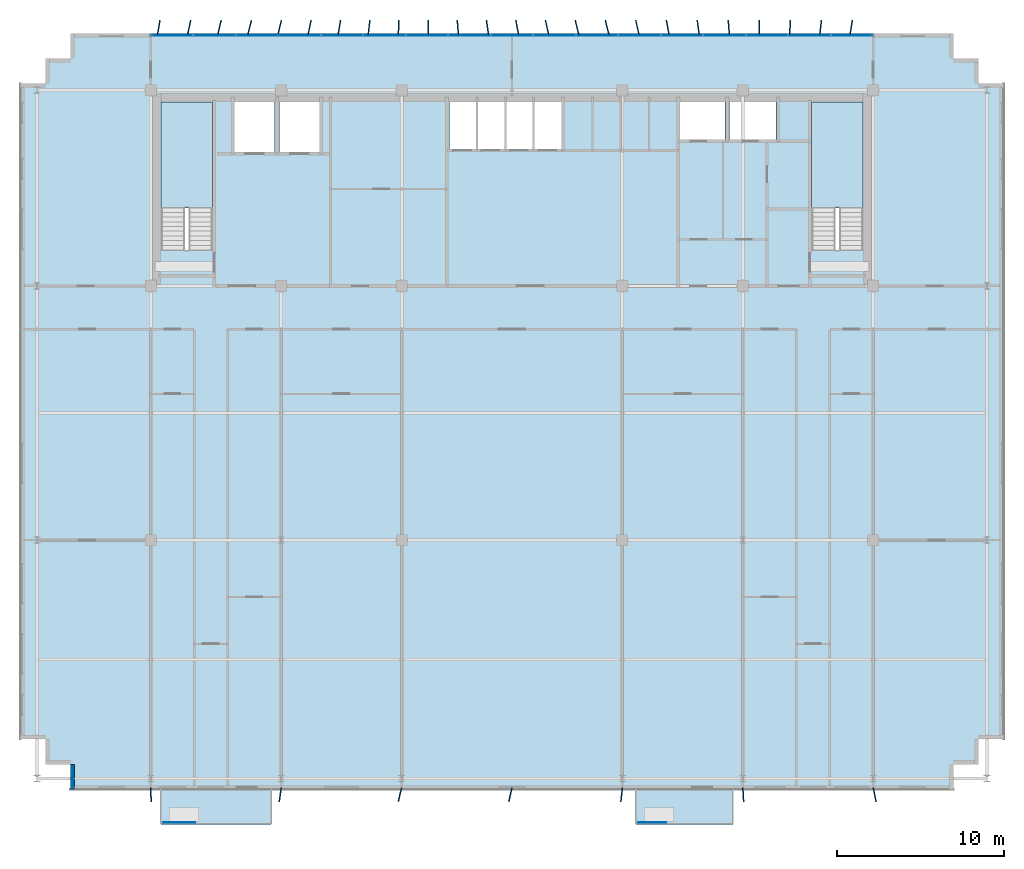
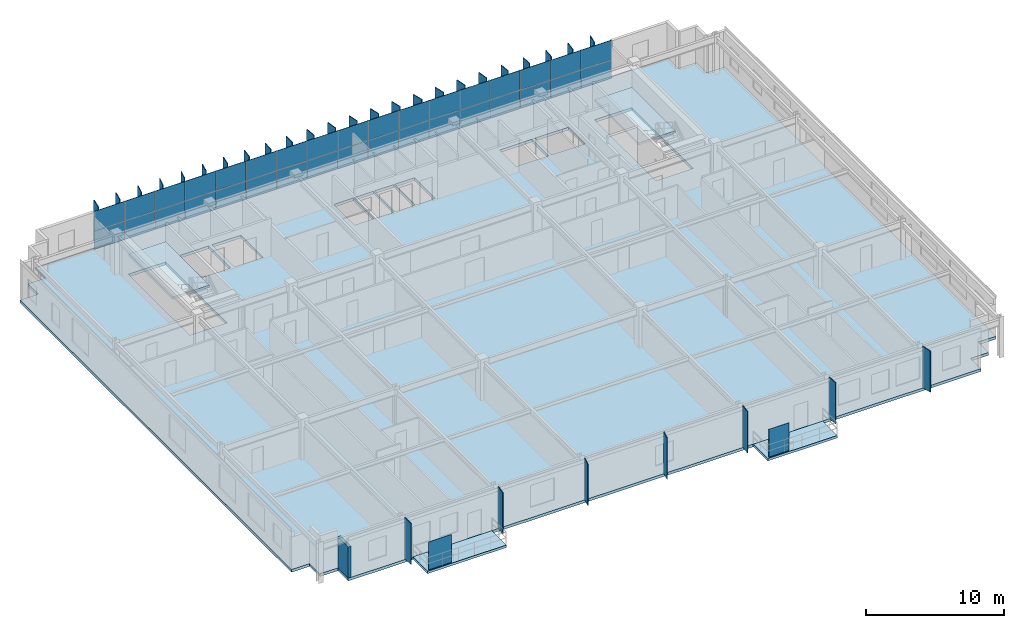
# One storey, part 13 of 20: 67 plates, 5 slabs, 1 wall, 3 elements without a shape of their own.
"""IFC4 building model written with IfcOpenShell, lengths in metres."""

from ifc_helpers import new_model, si_unit, direction, frame, frame_2d, origin, origin_2d, place, context, subcontext, project, spatial, polyline, rectangle, outline, extrude, source, transform, mapped, material, layer, layer_set, type_object, element, aggregate, save


model = new_model("IFC4")

# Units and contexts
model_context = context("Model", 3, precision=1e-05, world=origin(), true_north=direction((0.0, 1.0)))
body_context = subcontext(model_context, "Body", "Model", "MODEL_VIEW")
ifc_project = project(units=[si_unit("LENGTHUNIT", "METRE"), si_unit("AREAUNIT", "SQUARE_METRE"), si_unit("VOLUMEUNIT", "CUBIC_METRE"), si_unit("PLANEANGLEUNIT", "RADIAN"), si_unit("MASSUNIT", "GRAM", prefix="KILO")], contexts=[model_context])

# Site, building, storey
site_placement = place(None, origin())
site = spatial("IfcSite", under=ifc_project, at=site_placement, CompositionType="ELEMENT")
building_placement = place(site_placement, origin())
building = spatial("IfcBuilding", under=site, at=building_placement, Name="Trelvane Seafront Commons", CompositionType="ELEMENT")
storey_placement = place(building_placement, frame((0.0, 0.0, 142.89990234375)))
storey = spatial("IfcBuildingStorey", under=building, at=storey_placement, Name="L37", CompositionType="ELEMENT", Elevation=142.89990234375)

# Slabs
ifc_material_1 = material(Name="Concrete C40/50", Category="concrete")
ifc_layer_1 = layer(ifc_material_1, 0.219970703125, Name="ARCH-BALC-220")
ifc_layer_set_1 = layer_set([ifc_layer_1], Name="Concrete C40/50")
slab_type_1 = type_object("IfcSlabType", Name="ARCH-BALC-220", PredefinedType="FLOOR", material=ifc_layer_set_1)
slab_1_placement = place(storey_placement, frame((0.0, 0.0, -0.219970703125)))
element("IfcSlab", 1, at=slab_1_placement, inside=storey, type_object=slab_type_1, Name="L37 Cantilevered Tree Balcony Loggia 1", PredefinedType="FLOOR", context=body_context, shape_type="SweptSolid", body=[
    extrude(outline(polyline([(16.199951171875, 1.199951171875), (22.800048828125, 1.199951171875), (22.800048828125, 3.300048828125), (16.199951171875, 3.300048828125), (16.199951171875, 1.199951171875)])), origin(), (0.0, 0.0, 1.0), 0.219970703125),
])
slab_2_placement = place(storey_placement, frame((0.0, 0.0, -0.219970703125)))
element("IfcSlab", 2, at=slab_2_placement, inside=storey, type_object=slab_type_1, Name="L37 Cantilevered Tree Balcony Loggia 2", PredefinedType="FLOOR", context=body_context, shape_type="SweptSolid", body=[
    extrude(outline(polyline([(44.60009765625, 1.199951171875), (50.39990234375, 1.199951171875), (50.39990234375, 3.300048828125), (44.60009765625, 3.300048828125), (44.60009765625, 1.199951171875)])), origin(), (0.0, 0.0, 1.0), 0.219970703125),
])

# Stair, slab
stair_type_1 = type_object("IfcStairType", Name="ARCH-STR-ST-1-R20-180", PredefinedType="HALF_TURN_STAIR", material=ifc_material_1)
stair_1_placement = place(storey_placement, origin())
stair_1 = element("IfcStair", 3, at=stair_1_placement, inside=storey, type_object=stair_type_1, Name="L37 West Protected Firefighting Exit Stair ST-1", PredefinedType="HALF_TURN_STAIR")
ifc_layer_2 = layer(ifc_material_1, 0.199951171875, Name="ARCH-LND-200")
ifc_layer_set_2 = layer_set([ifc_layer_2], Name="Concrete C40/50")
slab_type_2 = type_object("IfcSlabType", Name="ARCH-LND-200", PredefinedType="LANDING", material=ifc_layer_set_2)
slab_3_placement = place(storey_placement, frame((0.0, 0.0, 1.60009765625)))
slab_3 = element("IfcSlab", 4, at=slab_3_placement, type_object=slab_type_2, Name="ST-1 landing 1", PredefinedType="LANDING", context=body_context, shape_type="SweptSolid", body=[
    extrude(outline(polyline([(19.300048828125, 38.070068359375), (19.300048828125, 44.39990234375), (16.199951171875, 44.39990234375), (16.199951171875, 38.070068359375), (19.300048828125, 38.070068359375)])), origin(), (0.0, 0.0, 1.0), 0.199951171875),
])
aggregate(stair_1, [slab_3])

stair_type_2 = type_object("IfcStairType", Name="ARCH-STR-ST-2-R20-180", PredefinedType="HALF_TURN_STAIR", material=ifc_material_1)
stair_2_placement = place(storey_placement, origin())
stair_2 = element("IfcStair", 5, at=stair_2_placement, inside=storey, type_object=stair_type_2, Name="L37 East Protected Firefighting Exit Stair ST-2", PredefinedType="HALF_TURN_STAIR")
slab_4_placement = place(storey_placement, frame((0.0, 0.0, 1.60009765625)))
slab_4 = element("IfcSlab", 6, at=slab_4_placement, type_object=slab_type_2, Name="ST-2 landing 1", PredefinedType="LANDING", context=body_context, shape_type="SweptSolid", body=[
    extrude(outline(polyline([(58.199951171875, 38.070068359375), (58.199951171875, 44.39990234375), (55.10009765625, 44.39990234375), (55.10009765625, 38.070068359375), (58.199951171875, 38.070068359375)])), origin(), (0.0, 0.0, 1.0), 0.199951171875),
])
aggregate(stair_2, [slab_4])

# Slab
ifc_material_2 = material(Name="Concrete C50/60", Category="concrete")
ifc_layer_3 = layer(ifc_material_2, 0.25, Name="STR-SLB-Z3-250")
ifc_layer_set_3 = layer_set([ifc_layer_3], Name="Concrete C50/60")
slab_type_3 = type_object("IfcSlabType", Name="STR-SLB-Z3-250", PredefinedType="FLOOR", material=ifc_layer_set_3)
slab_5_placement = place(storey_placement, frame((0.0, 0.0, -0.25)))
element("IfcSlab", 7, at=slab_5_placement, inside=storey, type_object=slab_type_3, Name="L37 Structural Floor Slab", PredefinedType="FLOOR", context=body_context, shape_type="SweptSolid", body=[
    extrude(outline(polyline([(10.800048828125, 3.300048828125), (63.60009765625, 3.300048828125), (63.60009765625, 4.800048828125), (65.10009765625, 4.800048828125), (65.10009765625, 6.300048828125), (66.60009765625, 6.300048828125), (66.60009765625, 45.5), (65.10009765625, 45.5), (65.10009765625, 47.0), (63.60009765625, 47.0), (63.60009765625, 48.5), (10.800048828125, 48.5), (10.800048828125, 47.0), (9.300048828125, 47.0), (9.300048828125, 45.5), (7.800048828125, 45.5), (7.800048828125, 6.300048828125), (9.300048828125, 6.300048828125), (9.300048828125, 4.800048828125), (10.800048828125, 4.800048828125), (10.800048828125, 3.300048828125)]), holes=[polyline([(19.300048828125, 35.550048828125), (16.199951171875, 35.550048828125), (16.199951171875, 44.39990234375), (19.300048828125, 44.39990234375), (19.300048828125, 35.550048828125)]), polyline([(58.199951171875, 35.550048828125), (55.10009765625, 35.550048828125), (55.10009765625, 44.39990234375), (58.199951171875, 44.39990234375), (58.199951171875, 35.550048828125)]), polyline([(23.0, 41.39990234375), (20.60009765625, 41.39990234375), (20.60009765625, 44.60009765625), (23.0, 44.60009765625), (23.0, 41.39990234375)]), polyline([(23.300048828125, 41.39990234375), (23.300048828125, 44.60009765625), (25.699951171875, 44.60009765625), (25.699951171875, 41.39990234375), (23.300048828125, 41.39990234375)]), polyline([(33.449951171875, 41.60009765625), (33.449951171875, 44.60009765625), (35.070068359375, 44.60009765625), (35.070068359375, 41.60009765625), (33.449951171875, 41.60009765625)]), polyline([(36.77001953125, 41.60009765625), (35.14990234375, 41.60009765625), (35.14990234375, 44.60009765625), (36.77001953125, 44.60009765625), (36.77001953125, 41.60009765625)]), polyline([(38.469970703125, 41.60009765625), (36.85009765625, 41.60009765625), (36.85009765625, 44.60009765625), (38.469970703125, 44.60009765625), (38.469970703125, 41.60009765625)]), polyline([(40.169921875, 41.60009765625), (38.550048828125, 41.60009765625), (38.550048828125, 44.60009765625), (40.169921875, 44.60009765625), (40.169921875, 41.60009765625)]), polyline([(47.25, 42.14990234375), (47.25, 44.550048828125), (49.949951171875, 44.550048828125), (49.949951171875, 42.14990234375), (47.25, 42.14990234375)]), polyline([(50.199951171875, 42.14990234375), (50.199951171875, 44.550048828125), (53.0, 44.550048828125), (53.0, 42.14990234375), (50.199951171875, 42.14990234375)])]), origin(), (0.0, 0.0, 1.0), 0.25),
])

# Plates
ifc_material_3 = material(Name="Perforated anodised aluminium screen", Category="aluminium")
ifc_layer_4 = layer(ifc_material_3, 0.01611328125, Name="ARCH-PLATE-SCREEN")
ifc_layer_set_4 = layer_set([ifc_layer_4], Name="Perforated anodised aluminium screen")
plate_type_1 = type_object("IfcPlateType", Name="ARCH-PLATE-SCREEN", PredefinedType="USERDEFINED", material=ifc_layer_set_4)
shared_shape_1 = source(origin(), body_context, "Body", "SweptSolid", [
    extrude(rectangle(XDim=1.9140625, YDim=0.01611328125, at=origin_2d()), origin(), (0.0, 0.0, 1.0), 2.449951171875),
])
plate_1_placement = place(storey_placement, frame((17.306884765625, 1.320068359375, 0.0), z_axis=(0.0, 0.0, 1.0), x_axis=(1.0, 0.0, 0.0)))
element("IfcPlate", 8, at=plate_1_placement, inside=storey, type_object=plate_type_1, Name="SCR-L37-00135", ObjectType="SCREEN", PredefinedType="USERDEFINED", context=body_context, shape_type="MappedRepresentation", body=[
    mapped(shared_shape_1, transform((0.0, 0.0, 0.0), x_axis=(1.0, 0.0, 0.0), y_axis=(0.0, 1.0, 0.0), z_axis=(0.0, 0.0, 1.0), scale=1.0)),
])
shared_shape_2 = source(origin(), body_context, "Body", "SweptSolid", [
    extrude(rectangle(XDim=1.681884765625, YDim=0.01611328125, at=origin_2d()), origin(), (0.0, 0.0, 1.0), 2.449951171875),
])
plate_2_placement = place(storey_placement, frame((45.591064453125, 1.320068359375, 0.0), z_axis=(0.0, 0.0, 1.0), x_axis=(1.0, 0.0, 0.0)))
element("IfcPlate", 9, at=plate_2_placement, inside=storey, type_object=plate_type_1, Name="SCR-L37-00136", ObjectType="SCREEN", PredefinedType="USERDEFINED", context=body_context, shape_type="MappedRepresentation", body=[
    mapped(shared_shape_2, transform((0.0, 0.0, 0.0), x_axis=(1.0, 0.0, 0.0), y_axis=(0.0, 1.0, 0.0), z_axis=(0.0, 0.0, 1.0), scale=1.0)),
])
ifc_material_4 = material(Name="Anodised pale-silver aluminium", Category="aluminium")
ifc_layer_5 = layer(ifc_material_4, 0.06005859375, Name="ARCH-PLATE-FIN900")
ifc_layer_set_5 = layer_set([ifc_layer_5], Name="Anodised pale-silver aluminium")
plate_type_2 = type_object("IfcPlateType", Name="ARCH-PLATE-FIN900", PredefinedType="USERDEFINED", material=ifc_layer_set_5)
shared_shape_3 = source(origin(), body_context, "Body", "SweptSolid", [
    extrude(rectangle(XDim=0.89990234375, YDim=0.06005859375, at=origin_2d()), origin(), (0.0, 0.0, 1.0), 3.639892578125),
])
for number, where, z_axis, x_axis, name in (
    (10, (16.0751953125, 48.84375, -0.02001953125), (0.0, 0.0, 1.0), (0.166992457826, 0.985958173063, 0.0), "FIN-L37-00999"),
    (11, (17.8935546875, 48.840087890625, -0.02001953125), (0.0, 0.0, 1.0), (0.208003878134, 0.978128001174, 0.0), "FIN-L37-01000"),
    (12, (19.705078125, 48.837646484375, -0.02001953125), (0.0, 0.0, 1.0), (0.233452152273, 0.972368290618, 0.0), "FIN-L37-01001"),
    (13, (21.5087890625, 48.836669921875, -0.02001953125), (0.0, 0.0, 1.0), (0.241881251735, 0.970305859025, 0.0), "FIN-L37-01002"),
    (14, (23.3046875, 48.837646484375, -0.02001953125), (0.0, 0.0, 1.0), (0.232771556921, 0.972531440257, 0.0), "FIN-L37-01003"),
    (15, (25.093017578125, 48.84033203125, -0.02001953125), (0.0, 0.0, 1.0), (0.206554275363, 0.978435144161, 0.0), "FIN-L37-01004"),
    (16, (26.874267578125, 48.843994140625, -0.02001953125), (0.0, 0.0, 1.0), (0.164994242433, 0.986294530028, 0.0), "FIN-L37-01005"),
    (17, (28.64990234375, 48.84716796875, -0.02001953125), (0.0, 0.0, 1.0), (0.111004086835, 0.993819949843, 0.0), "FIN-L37-01006"),
    (18, (30.421630859375, 48.849609375, -0.02001953125), (0.0, 0.0, 1.0), (0.048335505901, 0.998831156337, 0.0), "FIN-L37-01007"),
    (19, (32.19189453125, 48.849853515625, -0.02001953125), (0.0, 0.0, 1.0), (-0.01799860866, 0.999838011923, 0.0), "FIN-L37-01008"),
    (20, (33.962646484375, 48.848388671875, -0.02001953125), (0.0, 0.0, 1.0), (-0.082999532826, 0.996549586097, 0.0), "FIN-L37-01009"),
    (21, (35.736328125, 48.845458984375, -0.02001953125), (0.0, 0.0, 1.0), (-0.141561264962, 0.989929496612, 0.0), "FIN-L37-01010"),
    (22, (37.514892578125, 48.841796875, -0.02001953125), (0.0, 0.0, 1.0), (-0.189230834652, 0.981932630692, 0.0), "FIN-L37-01011"),
    (23, (39.2998046875, 48.838623046875, -0.02001953125), (0.0, 0.0, 1.0), (-0.222773731188, 0.974870178379, 0.0), "FIN-L37-01012"),
    (24, (41.092041015625, 48.8369140625, -0.02001953125), (0.0, 0.0, 1.0), (-0.23989426697, 0.970799021773, 0.0), "FIN-L37-01013"),
    (25, (42.89208984375, 48.8369140625, -0.02001953125), (0.0, 0.0, 1.0), (-0.239553685065, 0.970883119625, 0.0), "FIN-L37-01014"),
    (26, (44.7001953125, 48.8388671875, -0.02001953125), (0.0, 0.0, 1.0), (-0.221669334843, 0.975121892888, 0.0), "FIN-L37-01015"),
    (27, (46.515625, 48.842041015625, -0.02001953125), (0.0, 0.0, 1.0), (-0.187561324979, 0.982252894815, 0.0), "FIN-L37-01016"),
    (28, (48.33740234375, 48.845703125, -0.02001953125), (0.0, 0.0, 1.0), (-0.13933729171, 0.990244979356, 0.0), "FIN-L37-01017"),
    (29, (50.163818359375, 48.8486328125, -0.02001953125), (0.0, 0.0, 1.0), (-0.080442480959, 0.996759252406, 0.0), "FIN-L37-01018"),
    (30, (51.9931640625, 48.849853515625, -0.02001953125), (0.0, 0.0, 1.0), (-0.015333861843, 0.999882429429, 0.0), "FIN-L37-01019"),
    (31, (53.822998046875, 48.849365234375, -0.02001953125), (0.0, 0.0, 1.0), (0.051000819867, 0.99869861138, 0.0), "FIN-L37-01020"),
    (32, (55.65087890625, 48.84716796875, -0.02001953125), (0.0, 0.0, 1.0), (0.113333271049, 0.993557028898, 0.0), "FIN-L37-01021"),
    (33, (57.47509765625, 48.84375, -0.02001953125), (0.0, 0.0, 1.0), (0.166992457826, 0.985958173063, 0.0), "FIN-L37-01022"),
):
    element("IfcPlate", number, at=place(storey_placement, frame(where, z_axis=z_axis, x_axis=x_axis)), inside=storey, type_object=plate_type_2, Name=name, ObjectType="FIN", PredefinedType="USERDEFINED", context=body_context, shape_type="MappedRepresentation", body=[
        mapped(shared_shape_3, transform((0.0, 0.0, 0.0), x_axis=(1.0, 0.0, 0.0), y_axis=(0.0, 1.0, 0.0), z_axis=(0.0, 0.0, 1.0), scale=1.0)),
    ])
shared_shape_4 = source(origin(), body_context, "Body", "SweptSolid", [
    extrude(rectangle(XDim=0.85009765625, YDim=0.06005859375, at=origin_2d()), origin(), (0.0, 0.0, 1.0), 3.639892578125),
])
for number, where, z_axis, x_axis, name in (
    (34, (15.61181640625, 2.97509765625, -0.02001953125), (0.0, 0.0, 1.0), (0.02776461999, -0.999614488629, 0.0), "FIN-S-L37-01023"),
    (35, (23.3427734375, 2.978759765625, -0.02001953125), (0.0, 0.0, 1.0), (-0.134698742607, -0.990886597316, 0.0), "FIN-S-L37-01024"),
    (36, (30.501220703125, 2.98681640625, -0.02001953125), (0.0, 0.0, 1.0), (-0.232362465937, -0.972629263606, 0.0), "FIN-S-L37-01025"),
    (37, (37.105712890625, 2.985595703125, -0.02001953125), (0.0, 0.0, 1.0), (-0.221773150021, -0.975098287318, 0.0), "FIN-S-L37-01026"),
    (38, (43.75439453125, 2.9775390625, -0.02001953125), (0.0, 0.0, 1.0), (-0.107293134369, -0.994227430379, 0.0), "FIN-S-L37-01027"),
    (39, (51.025146484375, 2.9755859375, -0.02001953125), (0.0, 0.0, 1.0), (0.059060713521, -0.998254392486, 0.0), "FIN-S-L37-01028"),
    (40, (58.883544921875, 2.9833984375, -0.02001953125), (0.0, 0.0, 1.0), (0.196704278082, -0.980462863644, 0.0), "FIN-S-L37-01029"),
):
    element("IfcPlate", number, at=place(storey_placement, frame(where, z_axis=z_axis, x_axis=x_axis)), inside=storey, type_object=plate_type_2, Name=name, ObjectType="FIN", PredefinedType="USERDEFINED", context=body_context, shape_type="MappedRepresentation", body=[
        mapped(shared_shape_4, transform((0.0, 0.0, 0.0), x_axis=(1.0, 0.0, 0.0), y_axis=(0.0, 1.0, 0.0), z_axis=(0.0, 0.0, 1.0), scale=1.0)),
    ])

# Curtain wall, plates
curtain_wall_type = type_object("IfcCurtainWallType", Name="ARCH-CW5-UPTOWER", PredefinedType="NOTDEFINED", material=ifc_material_4)
curtain_wall_placement = place(storey_placement, origin())
curtain_wall = element("IfcCurtainWall", 41, at=curtain_wall_placement, inside=storey, type_object=curtain_wall_type, Name="CW-L37-0064", PredefinedType="NOTDEFINED")
ifc_material_5 = material(Name="Low-E coastal double glazing", Category="glass")
ifc_layer_6 = layer(ifc_material_5, 0.033935546875, Name="ARCH-CW-GLAZ-34")
ifc_layer_set_6 = layer_set([ifc_layer_6], Name="Low-E coastal double glazing")
plate_type_3 = type_object("IfcPlateType", Name="ARCH-CW-GLAZ-34", PredefinedType="CURTAIN_PANEL", material=ifc_layer_set_6)
shared_shape_5 = source(origin(), body_context, "Body", "SweptSolid", [
    extrude(rectangle(XDim=2.51708984375, YDim=0.033935546875, at=origin_2d()), origin(), (0.0, 0.0, 1.0), 1.590087890625),
])
plate_3_placement = place(storey_placement, frame((16.87060546875, 48.3701171875, 0.0), z_axis=(0.0, 0.0, 1.0), x_axis=(1.0, 0.0, 0.0)))
plate_3 = element("IfcPlate", 42, at=plate_3_placement, type_object=plate_type_3, Name="CW-L37-0064-P00-1", PredefinedType="CURTAIN_PANEL", context=body_context, shape_type="MappedRepresentation", body=[
    mapped(shared_shape_5, transform((0.0, 0.0, 0.0), x_axis=(1.0, 0.0, 0.0), y_axis=(0.0, 1.0, 0.0), z_axis=(0.0, 0.0, 1.0), scale=1.0)),
])
plate_4_placement = place(storey_placement, frame((19.411865234375, 48.3701171875, 0.0), z_axis=(0.0, 0.0, 1.0), x_axis=(1.0, 0.0, 0.0)))
plate_4 = element("IfcPlate", 43, at=plate_4_placement, type_object=plate_type_3, Name="CW-L37-0064-P01-1", PredefinedType="CURTAIN_PANEL", context=body_context, shape_type="MappedRepresentation", body=[
    mapped(shared_shape_5, transform((0.0, 0.0, 0.0), x_axis=(1.0, 0.0, 0.0), y_axis=(0.0, 1.0, 0.0), z_axis=(0.0, 0.0, 1.0), scale=1.0)),
])
plate_5_placement = place(storey_placement, frame((21.952880859375, 48.3701171875, 0.0), z_axis=(0.0, 0.0, 1.0), x_axis=(1.0, 0.0, 0.0)))
plate_5 = element("IfcPlate", 44, at=plate_5_placement, type_object=plate_type_3, Name="CW-L37-0064-P02-1", PredefinedType="CURTAIN_PANEL", context=body_context, shape_type="MappedRepresentation", body=[
    mapped(shared_shape_5, transform((0.0, 0.0, 0.0), x_axis=(1.0, 0.0, 0.0), y_axis=(0.0, 1.0, 0.0), z_axis=(0.0, 0.0, 1.0), scale=1.0)),
])
plate_6_placement = place(storey_placement, frame((24.494140625, 48.3701171875, 0.0), z_axis=(0.0, 0.0, 1.0), x_axis=(1.0, 0.0, 0.0)))
plate_6 = element("IfcPlate", 45, at=plate_6_placement, type_object=plate_type_3, Name="CW-L37-0064-P03-1", PredefinedType="CURTAIN_PANEL", context=body_context, shape_type="MappedRepresentation", body=[
    mapped(shared_shape_5, transform((0.0, 0.0, 0.0), x_axis=(1.0, 0.0, 0.0), y_axis=(0.0, 1.0, 0.0), z_axis=(0.0, 0.0, 1.0), scale=1.0)),
])
plate_7_placement = place(storey_placement, frame((27.035400390625, 48.3701171875, 0.0), z_axis=(0.0, 0.0, 1.0), x_axis=(1.0, 0.0, 0.0)))
plate_7 = element("IfcPlate", 46, at=plate_7_placement, type_object=plate_type_3, Name="CW-L37-0064-P04-1", PredefinedType="CURTAIN_PANEL", context=body_context, shape_type="MappedRepresentation", body=[
    mapped(shared_shape_5, transform((0.0, 0.0, 0.0), x_axis=(1.0, 0.0, 0.0), y_axis=(0.0, 1.0, 0.0), z_axis=(0.0, 0.0, 1.0), scale=1.0)),
])
plate_8_placement = place(storey_placement, frame((29.576416015625, 48.3701171875, 0.0), z_axis=(0.0, 0.0, 1.0), x_axis=(1.0, 0.0, 0.0)))
plate_8 = element("IfcPlate", 47, at=plate_8_placement, type_object=plate_type_3, Name="CW-L37-0064-P05-1", PredefinedType="CURTAIN_PANEL", context=body_context, shape_type="MappedRepresentation", body=[
    mapped(shared_shape_5, transform((0.0, 0.0, 0.0), x_axis=(1.0, 0.0, 0.0), y_axis=(0.0, 1.0, 0.0), z_axis=(0.0, 0.0, 1.0), scale=1.0)),
])
plate_9_placement = place(storey_placement, frame((32.11767578125, 48.3701171875, 0.0), z_axis=(0.0, 0.0, 1.0), x_axis=(1.0, 0.0, 0.0)))
plate_9 = element("IfcPlate", 48, at=plate_9_placement, type_object=plate_type_3, Name="CW-L37-0064-P06-1", PredefinedType="CURTAIN_PANEL", context=body_context, shape_type="MappedRepresentation", body=[
    mapped(shared_shape_5, transform((0.0, 0.0, 0.0), x_axis=(1.0, 0.0, 0.0), y_axis=(0.0, 1.0, 0.0), z_axis=(0.0, 0.0, 1.0), scale=1.0)),
])
plate_10_placement = place(storey_placement, frame((34.65869140625, 48.3701171875, 0.0), z_axis=(0.0, 0.0, 1.0), x_axis=(1.0, 0.0, 0.0)))
plate_10 = element("IfcPlate", 49, at=plate_10_placement, type_object=plate_type_3, Name="CW-L37-0064-P07-1", PredefinedType="CURTAIN_PANEL", context=body_context, shape_type="MappedRepresentation", body=[
    mapped(shared_shape_5, transform((0.0, 0.0, 0.0), x_axis=(1.0, 0.0, 0.0), y_axis=(0.0, 1.0, 0.0), z_axis=(0.0, 0.0, 1.0), scale=1.0)),
])
plate_11_placement = place(storey_placement, frame((37.199951171875, 48.3701171875, 0.0), z_axis=(0.0, 0.0, 1.0), x_axis=(1.0, 0.0, 0.0)))
plate_11 = element("IfcPlate", 50, at=plate_11_placement, type_object=plate_type_3, Name="CW-L37-0064-P08-1", PredefinedType="CURTAIN_PANEL", context=body_context, shape_type="MappedRepresentation", body=[
    mapped(shared_shape_5, transform((0.0, 0.0, 0.0), x_axis=(1.0, 0.0, 0.0), y_axis=(0.0, 1.0, 0.0), z_axis=(0.0, 0.0, 1.0), scale=1.0)),
])
plate_12_placement = place(storey_placement, frame((39.7412109375, 48.3701171875, 0.0), z_axis=(0.0, 0.0, 1.0), x_axis=(1.0, 0.0, 0.0)))
plate_12 = element("IfcPlate", 51, at=plate_12_placement, type_object=plate_type_3, Name="CW-L37-0064-P09-1", PredefinedType="CURTAIN_PANEL", context=body_context, shape_type="MappedRepresentation", body=[
    mapped(shared_shape_5, transform((0.0, 0.0, 0.0), x_axis=(1.0, 0.0, 0.0), y_axis=(0.0, 1.0, 0.0), z_axis=(0.0, 0.0, 1.0), scale=1.0)),
])
plate_13_placement = place(storey_placement, frame((42.282470703125, 48.3701171875, 0.0), z_axis=(0.0, 0.0, 1.0), x_axis=(1.0, 0.0, 0.0)))
plate_13 = element("IfcPlate", 52, at=plate_13_placement, type_object=plate_type_3, Name="CW-L37-0064-P10-1", PredefinedType="CURTAIN_PANEL", context=body_context, shape_type="MappedRepresentation", body=[
    mapped(shared_shape_5, transform((0.0, 0.0, 0.0), x_axis=(1.0, 0.0, 0.0), y_axis=(0.0, 1.0, 0.0), z_axis=(0.0, 0.0, 1.0), scale=1.0)),
])
plate_14_placement = place(storey_placement, frame((44.823486328125, 48.3701171875, 0.0), z_axis=(0.0, 0.0, 1.0), x_axis=(1.0, 0.0, 0.0)))
plate_14 = element("IfcPlate", 53, at=plate_14_placement, type_object=plate_type_3, Name="CW-L37-0064-P11-1", PredefinedType="CURTAIN_PANEL", context=body_context, shape_type="MappedRepresentation", body=[
    mapped(shared_shape_5, transform((0.0, 0.0, 0.0), x_axis=(1.0, 0.0, 0.0), y_axis=(0.0, 1.0, 0.0), z_axis=(0.0, 0.0, 1.0), scale=1.0)),
])
plate_15_placement = place(storey_placement, frame((47.36474609375, 48.3701171875, 0.0), z_axis=(0.0, 0.0, 1.0), x_axis=(1.0, 0.0, 0.0)))
plate_15 = element("IfcPlate", 54, at=plate_15_placement, type_object=plate_type_3, Name="CW-L37-0064-P12-1", PredefinedType="CURTAIN_PANEL", context=body_context, shape_type="MappedRepresentation", body=[
    mapped(shared_shape_5, transform((0.0, 0.0, 0.0), x_axis=(1.0, 0.0, 0.0), y_axis=(0.0, 1.0, 0.0), z_axis=(0.0, 0.0, 1.0), scale=1.0)),
])
plate_16_placement = place(storey_placement, frame((49.906005859375, 48.3701171875, 0.0), z_axis=(0.0, 0.0, 1.0), x_axis=(1.0, 0.0, 0.0)))
plate_16 = element("IfcPlate", 55, at=plate_16_placement, type_object=plate_type_3, Name="CW-L37-0064-P13-1", PredefinedType="CURTAIN_PANEL", context=body_context, shape_type="MappedRepresentation", body=[
    mapped(shared_shape_5, transform((0.0, 0.0, 0.0), x_axis=(1.0, 0.0, 0.0), y_axis=(0.0, 1.0, 0.0), z_axis=(0.0, 0.0, 1.0), scale=1.0)),
])
plate_17_placement = place(storey_placement, frame((52.447021484375, 48.3701171875, 0.0), z_axis=(0.0, 0.0, 1.0), x_axis=(1.0, 0.0, 0.0)))
plate_17 = element("IfcPlate", 56, at=plate_17_placement, type_object=plate_type_3, Name="CW-L37-0064-P14-1", PredefinedType="CURTAIN_PANEL", context=body_context, shape_type="MappedRepresentation", body=[
    mapped(shared_shape_5, transform((0.0, 0.0, 0.0), x_axis=(1.0, 0.0, 0.0), y_axis=(0.0, 1.0, 0.0), z_axis=(0.0, 0.0, 1.0), scale=1.0)),
])
plate_18_placement = place(storey_placement, frame((54.98828125, 48.3701171875, 0.0), z_axis=(0.0, 0.0, 1.0), x_axis=(1.0, 0.0, 0.0)))
plate_18 = element("IfcPlate", 57, at=plate_18_placement, type_object=plate_type_3, Name="CW-L37-0064-P15-1", PredefinedType="CURTAIN_PANEL", context=body_context, shape_type="MappedRepresentation", body=[
    mapped(shared_shape_5, transform((0.0, 0.0, 0.0), x_axis=(1.0, 0.0, 0.0), y_axis=(0.0, 1.0, 0.0), z_axis=(0.0, 0.0, 1.0), scale=1.0)),
])
plate_19_placement = place(storey_placement, frame((57.529296875, 48.3701171875, 0.0), z_axis=(0.0, 0.0, 1.0), x_axis=(1.0, 0.0, 0.0)))
plate_19 = element("IfcPlate", 58, at=plate_19_placement, type_object=plate_type_3, Name="CW-L37-0064-P16-1", PredefinedType="CURTAIN_PANEL", context=body_context, shape_type="MappedRepresentation", body=[
    mapped(shared_shape_5, transform((0.0, 0.0, 0.0), x_axis=(1.0, 0.0, 0.0), y_axis=(0.0, 1.0, 0.0), z_axis=(0.0, 0.0, 1.0), scale=1.0)),
])
shared_shape_6 = source(origin(), body_context, "Body", "SweptSolid", [
    extrude(rectangle(XDim=2.51708984375, YDim=0.033935546875, at=origin_2d()), origin(), (0.0, 0.0, 1.0), 1.72412109375),
])
plate_20_placement = place(storey_placement, frame((16.87060546875, 48.3701171875, 1.6259765625), z_axis=(0.0, 0.0, 1.0), x_axis=(1.0, 0.0, 0.0)))
plate_20 = element("IfcPlate", 59, at=plate_20_placement, type_object=plate_type_3, Name="CW-L37-0064-P00-2", PredefinedType="CURTAIN_PANEL", context=body_context, shape_type="MappedRepresentation", body=[
    mapped(shared_shape_6, transform((0.0, 0.0, 0.0), x_axis=(1.0, 0.0, 0.0), y_axis=(0.0, 1.0, 0.0), z_axis=(0.0, 0.0, 1.0), scale=1.0)),
])
plate_21_placement = place(storey_placement, frame((19.411865234375, 48.3701171875, 1.6259765625), z_axis=(0.0, 0.0, 1.0), x_axis=(1.0, 0.0, 0.0)))
plate_21 = element("IfcPlate", 60, at=plate_21_placement, type_object=plate_type_3, Name="CW-L37-0064-P01-2", PredefinedType="CURTAIN_PANEL", context=body_context, shape_type="MappedRepresentation", body=[
    mapped(shared_shape_6, transform((0.0, 0.0, 0.0), x_axis=(1.0, 0.0, 0.0), y_axis=(0.0, 1.0, 0.0), z_axis=(0.0, 0.0, 1.0), scale=1.0)),
])
plate_22_placement = place(storey_placement, frame((21.952880859375, 48.3701171875, 1.6259765625), z_axis=(0.0, 0.0, 1.0), x_axis=(1.0, 0.0, 0.0)))
plate_22 = element("IfcPlate", 61, at=plate_22_placement, type_object=plate_type_3, Name="CW-L37-0064-P02-2", PredefinedType="CURTAIN_PANEL", context=body_context, shape_type="MappedRepresentation", body=[
    mapped(shared_shape_6, transform((0.0, 0.0, 0.0), x_axis=(1.0, 0.0, 0.0), y_axis=(0.0, 1.0, 0.0), z_axis=(0.0, 0.0, 1.0), scale=1.0)),
])
plate_23_placement = place(storey_placement, frame((24.494140625, 48.3701171875, 1.6259765625), z_axis=(0.0, 0.0, 1.0), x_axis=(1.0, 0.0, 0.0)))
plate_23 = element("IfcPlate", 62, at=plate_23_placement, type_object=plate_type_3, Name="CW-L37-0064-P03-2", PredefinedType="CURTAIN_PANEL", context=body_context, shape_type="MappedRepresentation", body=[
    mapped(shared_shape_6, transform((0.0, 0.0, 0.0), x_axis=(1.0, 0.0, 0.0), y_axis=(0.0, 1.0, 0.0), z_axis=(0.0, 0.0, 1.0), scale=1.0)),
])
plate_24_placement = place(storey_placement, frame((27.035400390625, 48.3701171875, 1.6259765625), z_axis=(0.0, 0.0, 1.0), x_axis=(1.0, 0.0, 0.0)))
plate_24 = element("IfcPlate", 63, at=plate_24_placement, type_object=plate_type_3, Name="CW-L37-0064-P04-2", PredefinedType="CURTAIN_PANEL", context=body_context, shape_type="MappedRepresentation", body=[
    mapped(shared_shape_6, transform((0.0, 0.0, 0.0), x_axis=(1.0, 0.0, 0.0), y_axis=(0.0, 1.0, 0.0), z_axis=(0.0, 0.0, 1.0), scale=1.0)),
])
plate_25_placement = place(storey_placement, frame((29.576416015625, 48.3701171875, 1.6259765625), z_axis=(0.0, 0.0, 1.0), x_axis=(1.0, 0.0, 0.0)))
plate_25 = element("IfcPlate", 64, at=plate_25_placement, type_object=plate_type_3, Name="CW-L37-0064-P05-2", PredefinedType="CURTAIN_PANEL", context=body_context, shape_type="MappedRepresentation", body=[
    mapped(shared_shape_6, transform((0.0, 0.0, 0.0), x_axis=(1.0, 0.0, 0.0), y_axis=(0.0, 1.0, 0.0), z_axis=(0.0, 0.0, 1.0), scale=1.0)),
])
plate_26_placement = place(storey_placement, frame((32.11767578125, 48.3701171875, 1.6259765625), z_axis=(0.0, 0.0, 1.0), x_axis=(1.0, 0.0, 0.0)))
plate_26 = element("IfcPlate", 65, at=plate_26_placement, type_object=plate_type_3, Name="CW-L37-0064-P06-2", PredefinedType="CURTAIN_PANEL", context=body_context, shape_type="MappedRepresentation", body=[
    mapped(shared_shape_6, transform((0.0, 0.0, 0.0), x_axis=(1.0, 0.0, 0.0), y_axis=(0.0, 1.0, 0.0), z_axis=(0.0, 0.0, 1.0), scale=1.0)),
])
plate_27_placement = place(storey_placement, frame((34.65869140625, 48.3701171875, 1.6259765625), z_axis=(0.0, 0.0, 1.0), x_axis=(1.0, 0.0, 0.0)))
plate_27 = element("IfcPlate", 66, at=plate_27_placement, type_object=plate_type_3, Name="CW-L37-0064-P07-2", PredefinedType="CURTAIN_PANEL", context=body_context, shape_type="MappedRepresentation", body=[
    mapped(shared_shape_6, transform((0.0, 0.0, 0.0), x_axis=(1.0, 0.0, 0.0), y_axis=(0.0, 1.0, 0.0), z_axis=(0.0, 0.0, 1.0), scale=1.0)),
])
plate_28_placement = place(storey_placement, frame((37.199951171875, 48.3701171875, 1.6259765625), z_axis=(0.0, 0.0, 1.0), x_axis=(1.0, 0.0, 0.0)))
plate_28 = element("IfcPlate", 67, at=plate_28_placement, type_object=plate_type_3, Name="CW-L37-0064-P08-2", PredefinedType="CURTAIN_PANEL", context=body_context, shape_type="MappedRepresentation", body=[
    mapped(shared_shape_6, transform((0.0, 0.0, 0.0), x_axis=(1.0, 0.0, 0.0), y_axis=(0.0, 1.0, 0.0), z_axis=(0.0, 0.0, 1.0), scale=1.0)),
])
plate_29_placement = place(storey_placement, frame((39.7412109375, 48.3701171875, 1.6259765625), z_axis=(0.0, 0.0, 1.0), x_axis=(1.0, 0.0, 0.0)))
plate_29 = element("IfcPlate", 68, at=plate_29_placement, type_object=plate_type_3, Name="CW-L37-0064-P09-2", PredefinedType="CURTAIN_PANEL", context=body_context, shape_type="MappedRepresentation", body=[
    mapped(shared_shape_6, transform((0.0, 0.0, 0.0), x_axis=(1.0, 0.0, 0.0), y_axis=(0.0, 1.0, 0.0), z_axis=(0.0, 0.0, 1.0), scale=1.0)),
])
plate_30_placement = place(storey_placement, frame((42.282470703125, 48.3701171875, 1.6259765625), z_axis=(0.0, 0.0, 1.0), x_axis=(1.0, 0.0, 0.0)))
plate_30 = element("IfcPlate", 69, at=plate_30_placement, type_object=plate_type_3, Name="CW-L37-0064-P10-2", PredefinedType="CURTAIN_PANEL", context=body_context, shape_type="MappedRepresentation", body=[
    mapped(shared_shape_6, transform((0.0, 0.0, 0.0), x_axis=(1.0, 0.0, 0.0), y_axis=(0.0, 1.0, 0.0), z_axis=(0.0, 0.0, 1.0), scale=1.0)),
])
plate_31_placement = place(storey_placement, frame((44.823486328125, 48.3701171875, 1.6259765625), z_axis=(0.0, 0.0, 1.0), x_axis=(1.0, 0.0, 0.0)))
plate_31 = element("IfcPlate", 70, at=plate_31_placement, type_object=plate_type_3, Name="CW-L37-0064-P11-2", PredefinedType="CURTAIN_PANEL", context=body_context, shape_type="MappedRepresentation", body=[
    mapped(shared_shape_6, transform((0.0, 0.0, 0.0), x_axis=(1.0, 0.0, 0.0), y_axis=(0.0, 1.0, 0.0), z_axis=(0.0, 0.0, 1.0), scale=1.0)),
])
plate_32_placement = place(storey_placement, frame((47.36474609375, 48.3701171875, 1.6259765625), z_axis=(0.0, 0.0, 1.0), x_axis=(1.0, 0.0, 0.0)))
plate_32 = element("IfcPlate", 71, at=plate_32_placement, type_object=plate_type_3, Name="CW-L37-0064-P12-2", PredefinedType="CURTAIN_PANEL", context=body_context, shape_type="MappedRepresentation", body=[
    mapped(shared_shape_6, transform((0.0, 0.0, 0.0), x_axis=(1.0, 0.0, 0.0), y_axis=(0.0, 1.0, 0.0), z_axis=(0.0, 0.0, 1.0), scale=1.0)),
])
plate_33_placement = place(storey_placement, frame((49.906005859375, 48.3701171875, 1.6259765625), z_axis=(0.0, 0.0, 1.0), x_axis=(1.0, 0.0, 0.0)))
plate_33 = element("IfcPlate", 72, at=plate_33_placement, type_object=plate_type_3, Name="CW-L37-0064-P13-2", PredefinedType="CURTAIN_PANEL", context=body_context, shape_type="MappedRepresentation", body=[
    mapped(shared_shape_6, transform((0.0, 0.0, 0.0), x_axis=(1.0, 0.0, 0.0), y_axis=(0.0, 1.0, 0.0), z_axis=(0.0, 0.0, 1.0), scale=1.0)),
])
plate_34_placement = place(storey_placement, frame((52.447021484375, 48.3701171875, 1.6259765625), z_axis=(0.0, 0.0, 1.0), x_axis=(1.0, 0.0, 0.0)))
plate_34 = element("IfcPlate", 73, at=plate_34_placement, type_object=plate_type_3, Name="CW-L37-0064-P14-2", PredefinedType="CURTAIN_PANEL", context=body_context, shape_type="MappedRepresentation", body=[
    mapped(shared_shape_6, transform((0.0, 0.0, 0.0), x_axis=(1.0, 0.0, 0.0), y_axis=(0.0, 1.0, 0.0), z_axis=(0.0, 0.0, 1.0), scale=1.0)),
])
plate_35_placement = place(storey_placement, frame((54.98828125, 48.3701171875, 1.6259765625), z_axis=(0.0, 0.0, 1.0), x_axis=(1.0, 0.0, 0.0)))
plate_35 = element("IfcPlate", 74, at=plate_35_placement, type_object=plate_type_3, Name="CW-L37-0064-P15-2", PredefinedType="CURTAIN_PANEL", context=body_context, shape_type="MappedRepresentation", body=[
    mapped(shared_shape_6, transform((0.0, 0.0, 0.0), x_axis=(1.0, 0.0, 0.0), y_axis=(0.0, 1.0, 0.0), z_axis=(0.0, 0.0, 1.0), scale=1.0)),
])
plate_36_placement = place(storey_placement, frame((57.529296875, 48.3701171875, 1.6259765625), z_axis=(0.0, 0.0, 1.0), x_axis=(1.0, 0.0, 0.0)))
plate_36 = element("IfcPlate", 75, at=plate_36_placement, type_object=plate_type_3, Name="CW-L37-0064-P16-2", PredefinedType="CURTAIN_PANEL", context=body_context, shape_type="MappedRepresentation", body=[
    mapped(shared_shape_6, transform((0.0, 0.0, 0.0), x_axis=(1.0, 0.0, 0.0), y_axis=(0.0, 1.0, 0.0), z_axis=(0.0, 0.0, 1.0), scale=1.0)),
])
aggregate(curtain_wall, [plate_3, plate_20, plate_4, plate_21, plate_5, plate_22, plate_6, plate_23, plate_7, plate_24, plate_8, plate_25, plate_9, plate_26, plate_10, plate_27, plate_11, plate_28, plate_12, plate_29, plate_13, plate_30, plate_14, plate_31, plate_15, plate_32, plate_16, plate_33, plate_17, plate_34, plate_18, plate_35, plate_19, plate_36])

# Wall
ifc_material_6 = material(Name="Precast concrete C40/50", Category="concrete")
ifc_layer_7 = layer(ifc_material_6, 0.239990234375, Name="ARCH-WALL-EXT240")
ifc_layer_set_7 = layer_set([ifc_layer_7], Name="Precast concrete C40/50")
wall_type = type_object("IfcWallType", Name="ARCH-WALL-EXT240", PredefinedType="SOLIDWALL", material=ifc_layer_set_7)
wall_placement = place(storey_placement, frame((10.919921875, 3.300048828125, 0.0), z_axis=(0.0, 0.0, 1.0), x_axis=(0.0, 1.0, 0.0)))
element("IfcWall", 76, at=wall_placement, inside=storey, type_object=wall_type, Name="EW-L37-00736", PredefinedType="SOLIDWALL", context=body_context, shape_type="SweptSolid", body=[
    extrude(rectangle(XDim=1.5, YDim=0.239990234375, at=frame_2d((0.75, 0.0))), origin(), (0.0, 0.0, 1.0), 2.75),
])

save(model, "model.ifc")
